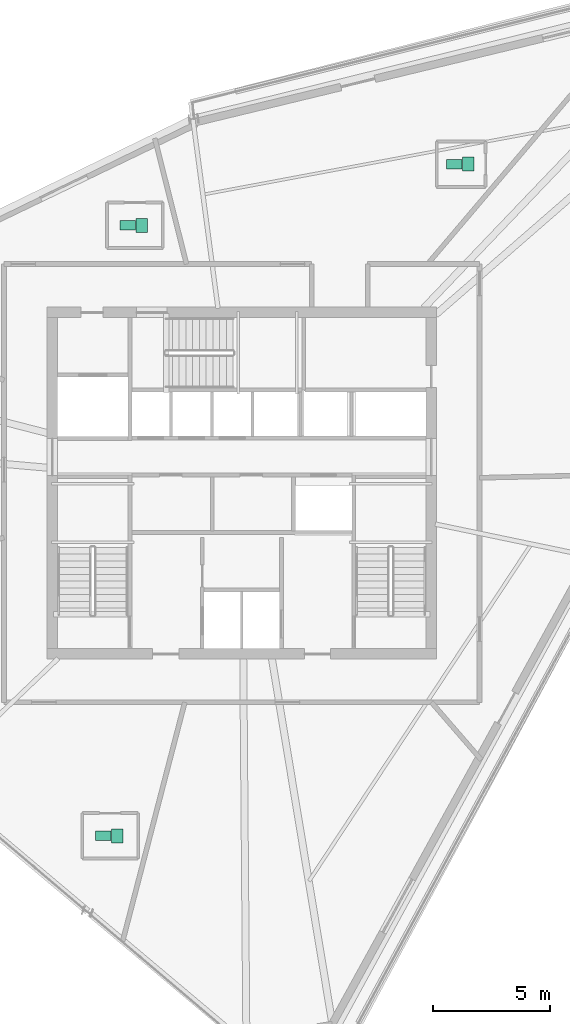
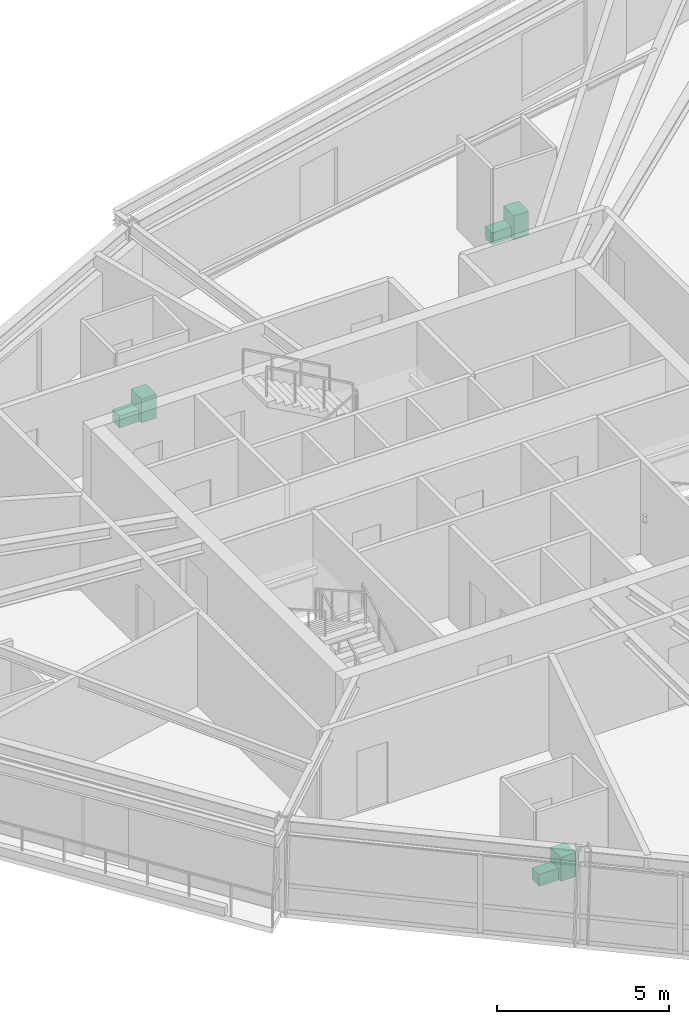
# One storey, part 15 of 15: 6 sanitary terminals.
"""IFC4 building model written with IfcOpenShell, lengths in metres."""

from ifc_helpers import new_model, si_unit, direction, frame, origin, origin_2d, place, context, subcontext, project, spatial, rectangle, extrude, source, transform, mapped, material, type_object, element, save


model = new_model("IFC4")

# Units and contexts
model_context = context("Model", 3, precision=1e-05, world=origin(), true_north=direction((0.0, 1.0)))
body_context = subcontext(model_context, "Body", "Model", "MODEL_VIEW")
ifc_project = project(units=[si_unit("LENGTHUNIT", "METRE"), si_unit("AREAUNIT", "SQUARE_METRE"), si_unit("VOLUMEUNIT", "CUBIC_METRE"), si_unit("PLANEANGLEUNIT", "RADIAN"), si_unit("MASSUNIT", "GRAM", prefix="KILO")], contexts=[model_context])

# Site, building, storey
site_placement = place(None, origin())
site = spatial("IfcSite", under=ifc_project, at=site_placement, CompositionType="ELEMENT")
building_placement = place(site_placement, origin())
building = spatial("IfcBuilding", under=site, at=building_placement, Name="Olszyna Solenne Hotel", CompositionType="ELEMENT")
storey_placement = place(building_placement, frame((0.0, 0.0, 213.14990234375)))
storey = spatial("IfcBuildingStorey", under=building, at=storey_placement, Name="L56", CompositionType="ELEMENT", Elevation=213.14990234375)

# Sanitary terminals
ifc_material = material(Name="Porcelain ceramic")
sanitary_terminal_type_1 = type_object("IfcSanitaryTerminalType", Name="SAN-WC", PredefinedType="TOILETPAN", material=ifc_material)
shared_shape_1 = source(origin(), body_context, "Body", "SweptSolid", [
    extrude(rectangle(XDim=0.64990234375, YDim=0.39990234375, at=origin_2d()), origin(), (0.0, 0.0, 1.0), 0.419921875),
])
for number, where, z_axis, x_axis, name in (
    (1, (32.056884765625, 11.471923828125, 0.000244140625), (0.0, 0.0, 1.0), (1.0, 0.0, 0.0), "Wall-hung WC pan WC-0018"),
    (2, (47.112060546875, 40.287109375, 0.000244140625), (0.0, 0.0, 1.0), (1.0, 0.0, 0.0), "Wall-hung WC pan WC-0019"),
    (3, (33.111083984375, 37.6640625, 0.000244140625), (0.0, 0.0, 1.0), (1.0, 0.0, 0.0), "Wall-hung WC pan WC-0020"),
):
    element("IfcSanitaryTerminal", number, at=place(storey_placement, frame(where, z_axis=z_axis, x_axis=x_axis)), inside=storey, type_object=sanitary_terminal_type_1, Name=name, PredefinedType="TOILETPAN", context=body_context, shape_type="MappedRepresentation", body=[
        mapped(shared_shape_1, transform((0.0, 0.0, 0.0), x_axis=(1.0, 0.0, 0.0), y_axis=(0.0, 1.0, 0.0), z_axis=(0.0, 0.0, 1.0), scale=1.0)),
    ])
sanitary_terminal_type_2 = type_object("IfcSanitaryTerminalType", Name="SAN-BS", PredefinedType="WASHHANDBASIN", material=ifc_material)
shared_shape_2 = source(origin(), body_context, "Body", "SweptSolid", [
    extrude(rectangle(XDim=0.5, YDim=0.60009765625, at=origin_2d()), origin(), (0.0, 0.0, 1.0), 0.85009765625),
])
for number, where, z_axis, x_axis, name in (
    (4, (32.656982421875, 11.471923828125, 0.0), (0.0, 0.0, 1.0), (1.0, 0.0, 0.0), "Vanity washbasin BS-0018"),
    (5, (47.7119140625, 40.287109375, 0.0), (0.0, 0.0, 1.0), (1.0, 0.0, 0.0), "Vanity washbasin BS-0019"),
    (6, (33.7109375, 37.6640625, 0.0), (0.0, 0.0, 1.0), (1.0, 0.0, 0.0), "Vanity washbasin BS-0020"),
):
    element("IfcSanitaryTerminal", number, at=place(storey_placement, frame(where, z_axis=z_axis, x_axis=x_axis)), inside=storey, type_object=sanitary_terminal_type_2, Name=name, PredefinedType="WASHHANDBASIN", context=body_context, shape_type="MappedRepresentation", body=[
        mapped(shared_shape_2, transform((0.0, 0.0, 0.0), x_axis=(1.0, 0.0, 0.0), y_axis=(0.0, 1.0, 0.0), z_axis=(0.0, 0.0, 1.0), scale=1.0)),
    ])

save(model, "model.ifc")
